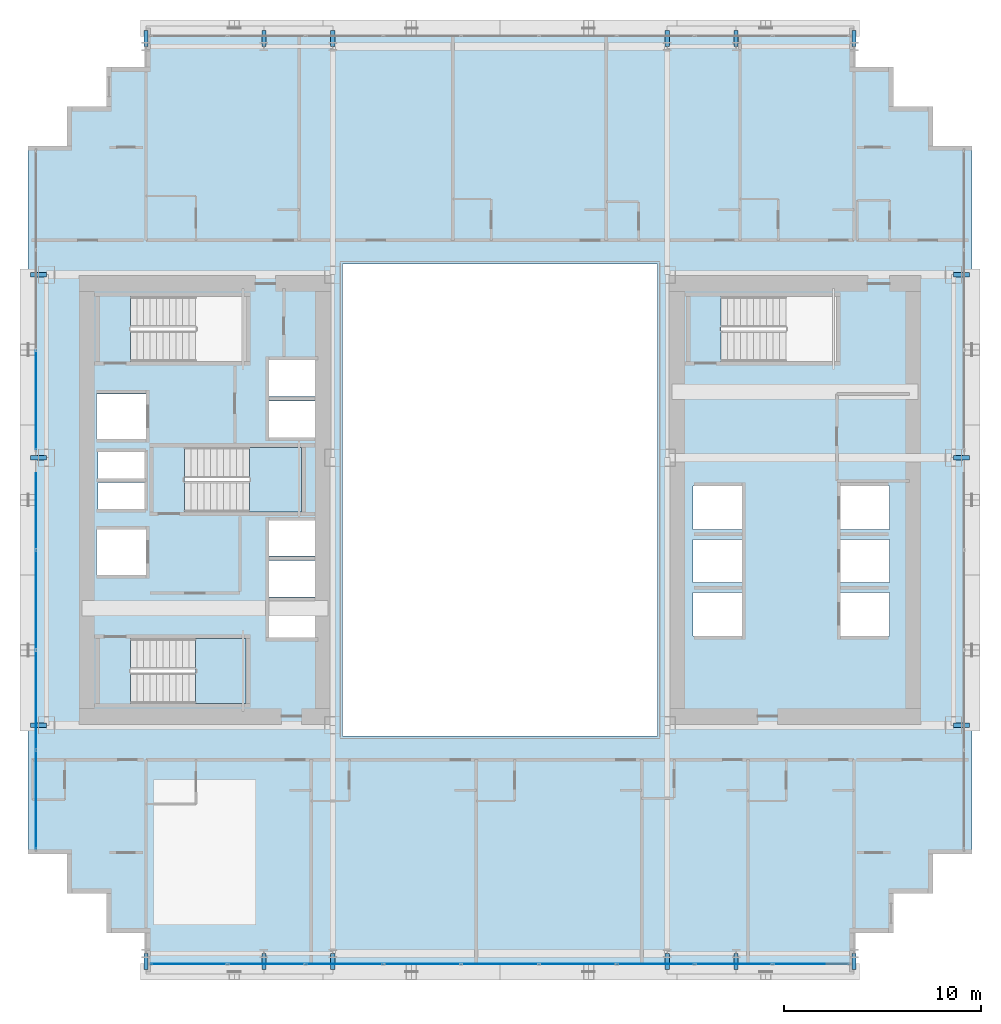
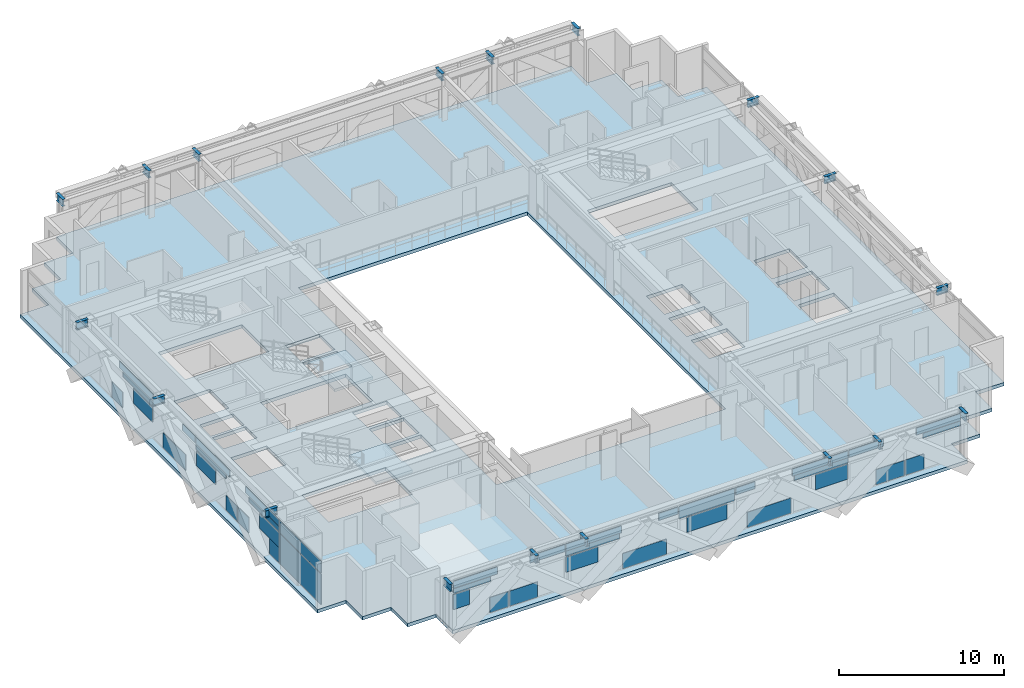
# One storey, part 23 of 35: 40 plates, 18 beams, 3 slabs, 4 elements without a shape of their own.
"""IFC4 building model written with IfcOpenShell, lengths in metres."""

from ifc_helpers import new_model, si_unit, direction, frame, origin, origin_2d, place, context, subcontext, project, spatial, polyline, rectangle, i_section, outline, extrude, source, transform, mapped, material, layer, layer_set, material_profile, profile_set, type_object, element, aggregate, save


model = new_model("IFC4")

# Units and contexts
model_context = context("Model", 3, precision=1e-05, world=origin(), true_north=direction((0.0, 1.0)))
body_context = subcontext(model_context, "Body", "Model", "MODEL_VIEW")
ifc_project = project(units=[si_unit("LENGTHUNIT", "METRE"), si_unit("AREAUNIT", "SQUARE_METRE"), si_unit("VOLUMEUNIT", "CUBIC_METRE"), si_unit("PLANEANGLEUNIT", "RADIAN"), si_unit("MASSUNIT", "GRAM", prefix="KILO")], contexts=[model_context])

# Site, building, storey
site_placement = place(None, origin())
site = spatial("IfcSite", under=ifc_project, at=site_placement, CompositionType="ELEMENT")
building_placement = place(site_placement, origin())
building = spatial("IfcBuilding", under=site, at=building_placement, Name="Ocotamira Hotel", CompositionType="ELEMENT")
storey_placement = place(building_placement, frame((0.0, 0.0, 56.39990234375)))
storey = spatial("IfcBuildingStorey", under=building, at=storey_placement, Name="L13", CompositionType="ELEMENT", Elevation=56.39990234375)

# Beams
ifc_material_1 = material(Name="Steel ASTM A992 Grade 50", Category="steel")
ifc_material_profile = material_profile(ifc_material_1, i_section(OverallWidth=0.2099609375, OverallDepth=0.537109375, WebThickness=0.010986328125, FlangeThickness=0.017333984375, FilletRadius=0.012939453125, at=origin_2d()), Name="W21X68")
ifc_profile_set = profile_set([ifc_material_profile], Name="Steel ASTM A992 Grade 50")
beam_type = type_object("IfcBeamType", Name="BM-SEC-W21X68", PredefinedType="JOIST", material=ifc_profile_set)
shared_shape_1 = source(origin(), body_context, "Body", "SweptSolid", [
    extrude(i_section(OverallWidth=0.2099609375, OverallDepth=0.537109375, WebThickness=0.010986328125, FlangeThickness=0.017333984375, FilletRadius=0.012939453125, at=origin_2d()), origin(), (0.0, 0.0, 1.0), 0.800048828125),
])
for number, where, z_axis, x_axis, name in (
    (1, (14.0, 2.949951171875, 3.08154296875), (0.0, -1.0, 0.0), (1.0, 0.0, 0.0), "L13 South Edge Header X14"),
    (2, (14.0, 49.050048828125, 3.08154296875), (0.0, 1.0, 0.0), (-1.0, 0.0, 0.0), "L13 North Edge Header X14"),
    (3, (20.0, 2.949951171875, 3.08154296875), (0.0, -1.0, 0.0), (1.0, 0.0, 0.0), "L13 South Edge Header X20"),
    (4, (20.0, 49.050048828125, 3.08154296875), (0.0, 1.0, 0.0), (-1.0, 0.0, 0.0), "L13 North Edge Header X20"),
    (5, (23.5, 2.949951171875, 3.08154296875), (0.0, -1.0, 0.0), (1.0, 0.0, 0.0), "L13 South Edge Header X23.5"),
    (6, (23.5, 49.050048828125, 3.08154296875), (0.0, 1.0, 0.0), (-1.0, 0.0, 0.0), "L13 North Edge Header X23.5"),
    (7, (40.5, 2.949951171875, 3.08154296875), (0.0, -1.0, 0.0), (1.0, 0.0, 0.0), "L13 South Edge Header X40.5"),
    (8, (40.5, 49.050048828125, 3.08154296875), (0.0, 1.0, 0.0), (-1.0, 0.0, 0.0), "L13 North Edge Header X40.5"),
    (9, (44.0, 2.949951171875, 3.08154296875), (0.0, -1.0, 0.0), (1.0, 0.0, 0.0), "L13 South Edge Header X44"),
    (10, (44.0, 49.050048828125, 3.08154296875), (0.0, 1.0, 0.0), (-1.0, 0.0, 0.0), "L13 North Edge Header X44"),
    (11, (50.0, 2.949951171875, 3.08154296875), (0.0, -1.0, 0.0), (1.0, 0.0, 0.0), "L13 South Edge Header X50"),
    (12, (50.0, 49.050048828125, 3.08154296875), (0.0, 1.0, 0.0), (-1.0, 0.0, 0.0), "L13 North Edge Header X50"),
    (13, (8.949951171875, 14.550048828125, 3.08154296875), (-1.0, 0.0, 0.0), (0.0, -1.0, 0.0), "L13 West Edge Header Y14.55"),
    (14, (55.050048828125, 14.550048828125, 3.08154296875), (1.0, 0.0, 0.0), (0.0, 1.0, 0.0), "L13 East Edge Header Y14.55"),
    (15, (8.949951171875, 28.14990234375, 3.08154296875), (-1.0, 0.0, 0.0), (0.0, -1.0, 0.0), "L13 West Edge Header Y28.15"),
    (16, (55.050048828125, 28.14990234375, 3.08154296875), (1.0, 0.0, 0.0), (0.0, 1.0, 0.0), "L13 East Edge Header Y28.15"),
    (17, (8.949951171875, 37.449951171875, 3.08154296875), (-1.0, 0.0, 0.0), (0.0, -1.0, 0.0), "L13 West Edge Header Y37.45"),
    (18, (55.050048828125, 37.449951171875, 3.08154296875), (1.0, 0.0, 0.0), (0.0, 1.0, 0.0), "L13 East Edge Header Y37.45"),
):
    element("IfcBeam", number, at=place(storey_placement, frame(where, z_axis=z_axis, x_axis=x_axis)), inside=storey, type_object=beam_type, Name=name, PredefinedType="JOIST", context=body_context, shape_type="MappedRepresentation", body=[
        mapped(shared_shape_1, transform((0.0, 0.0, 0.0), scale=1.0)),
    ])

# Stair, slab
ifc_material_2 = material(Name="Concrete C40/50", Category="concrete")
stair_type = type_object("IfcStairType", Name="ST-CORE-1560", PredefinedType="HALF_TURN_STAIR", material=ifc_material_2)
stair_1_placement = place(storey_placement, origin())
stair_1 = element("IfcStair", 19, at=stair_1_placement, inside=storey, type_object=stair_type, Name="L13 Exit Stair ST-1", PredefinedType="HALF_TURN_STAIR")
ifc_layer_1 = layer(ifc_material_2, 0.199951171875)
ifc_layer_set_1 = layer_set([ifc_layer_1], Name="Concrete C40/50")
slab_type_1 = type_object("IfcSlabType", Name="SLB-LAND-200", PredefinedType="LANDING", material=ifc_layer_set_1)
slab_1_placement = place(storey_placement, frame((0.0, 0.0, 1.60009765625)))
slab_1 = element("IfcSlab", 20, at=slab_1_placement, type_object=slab_type_1, Name="ST-1 landing 1", PredefinedType="LANDING", context=body_context, shape_type="SweptSolid", body=[
    extrude(outline(polyline([(16.530029296875, 15.669921875), (19.090087890625, 15.669921875), (19.090087890625, 18.949951171875), (16.530029296875, 18.949951171875), (16.530029296875, 15.669921875)])), origin(), (0.0, 0.0, 1.0), 0.199951171875),
])
aggregate(stair_1, [slab_1])

stair_2_placement = place(storey_placement, origin())
stair_2 = element("IfcStair", 21, at=stair_2_placement, inside=storey, type_object=stair_type, Name="L13 Exit Stair ST-3", PredefinedType="HALF_TURN_STAIR")
slab_2_placement = place(storey_placement, frame((0.0, 0.0, 1.60009765625)))
slab_2 = element("IfcSlab", 22, at=slab_2_placement, type_object=slab_type_1, Name="ST-3 landing 1", PredefinedType="LANDING", context=body_context, shape_type="SweptSolid", body=[
    extrude(outline(polyline([(19.260009765625, 25.39990234375), (21.919921875, 25.39990234375), (21.919921875, 28.679931640625), (19.260009765625, 28.679931640625), (19.260009765625, 25.39990234375)])), origin(), (0.0, 0.0, 1.0), 0.199951171875),
])
aggregate(stair_2, [slab_2])

# Slab
ifc_layer_2 = layer(ifc_material_2, 0.25)
ifc_layer_set_2 = layer_set([ifc_layer_2], Name="Concrete C40/50")
slab_type_2 = type_object("IfcSlabType", Name="SLB-Z1-250", PredefinedType="FLOOR", material=ifc_layer_set_2)
slab_3_placement = place(storey_placement, frame((0.0, 0.0, -0.25)))
element("IfcSlab", 23, at=slab_3_placement, inside=storey, type_object=slab_type_2, Name="L13 Structural Floor Slab", PredefinedType="FLOOR", context=body_context, shape_type="SweptSolid", body=[
    extrude(outline(polyline([(14.0, 2.0), (50.0, 2.0), (50.0, 4.0), (52.0, 4.0), (52.0, 6.0), (54.0, 6.0), (54.0, 8.0), (56.0, 8.0), (56.0, 44.0), (54.0, 44.0), (54.0, 46.0), (52.0, 46.0), (52.0, 48.0), (50.0, 48.0), (50.0, 50.0), (14.0, 50.0), (14.0, 48.0), (12.0, 48.0), (12.0, 46.0), (10.0, 46.0), (10.0, 44.0), (8.0, 44.0), (8.0, 8.0), (10.0, 8.0), (10.0, 6.0), (12.0, 6.0), (12.0, 4.0), (14.0, 4.0), (14.0, 2.0)]), holes=[polyline([(24.0, 14.0), (40.0, 14.0), (40.0, 38.0), (24.0, 38.0), (24.0, 14.0)]), polyline([(13.22998046875, 15.669921875), (19.090087890625, 15.669921875), (19.090087890625, 18.949951171875), (13.22998046875, 18.949951171875), (13.22998046875, 15.669921875)]), polyline([(13.22998046875, 33.050048828125), (19.090087890625, 33.050048828125), (19.090087890625, 36.330078125), (13.22998046875, 36.330078125), (13.22998046875, 33.050048828125)]), polyline([(15.9599609375, 25.39990234375), (21.919921875, 25.39990234375), (21.919921875, 28.679931640625), (15.9599609375, 28.679931640625), (15.9599609375, 25.39990234375)]), polyline([(43.22998046875, 33.050048828125), (49.090087890625, 33.050048828125), (49.090087890625, 36.330078125), (43.22998046875, 36.330078125), (43.22998046875, 33.050048828125)]), polyline([(49.300048828125, 19.10009765625), (51.800048828125, 19.10009765625), (51.800048828125, 21.300048828125), (49.300048828125, 21.300048828125), (49.300048828125, 19.10009765625)]), polyline([(49.300048828125, 21.800048828125), (51.800048828125, 21.800048828125), (51.800048828125, 24.0), (49.300048828125, 24.0), (49.300048828125, 21.800048828125)]), polyline([(49.300048828125, 24.5), (51.800048828125, 24.5), (51.800048828125, 26.699951171875), (49.300048828125, 26.699951171875), (49.300048828125, 24.5)]), polyline([(41.800048828125, 19.10009765625), (44.300048828125, 19.10009765625), (44.300048828125, 21.300048828125), (41.800048828125, 21.300048828125), (41.800048828125, 19.10009765625)]), polyline([(41.800048828125, 21.800048828125), (44.300048828125, 21.800048828125), (44.300048828125, 24.0), (41.800048828125, 24.0), (41.800048828125, 21.800048828125)]), polyline([(41.800048828125, 24.5), (44.300048828125, 24.5), (44.300048828125, 26.699951171875), (41.800048828125, 26.699951171875), (41.800048828125, 24.5)]), polyline([(20.25, 19.0), (22.659912109375, 19.0), (22.659912109375, 20.85009765625), (20.25, 20.85009765625), (20.25, 19.0)]), polyline([(20.25, 21.080078125), (22.659912109375, 21.080078125), (22.659912109375, 22.929931640625), (20.25, 22.929931640625), (20.25, 21.080078125)]), polyline([(20.25, 23.159912109375), (22.659912109375, 23.159912109375), (22.659912109375, 24.9599609375), (20.25, 24.9599609375), (20.25, 23.159912109375)]), polyline([(20.25, 29.179931640625), (22.659912109375, 29.179931640625), (22.659912109375, 31.030029296875), (20.25, 31.030029296875), (20.25, 29.179931640625)]), polyline([(20.25, 31.260009765625), (22.659912109375, 31.260009765625), (22.659912109375, 33.110107421875), (20.25, 33.110107421875), (20.25, 31.260009765625)]), polyline([(11.5, 22.199951171875), (14.0, 22.199951171875), (14.0, 24.5), (11.5, 24.5), (11.5, 22.199951171875)]), polyline([(11.5, 29.10009765625), (14.0, 29.10009765625), (14.0, 31.39990234375), (11.5, 31.39990234375), (11.5, 29.10009765625)]), polyline([(11.580078125, 25.550048828125), (13.919921875, 25.550048828125), (13.919921875, 26.89990234375), (11.580078125, 26.89990234375), (11.580078125, 25.550048828125)]), polyline([(11.580078125, 27.10009765625), (13.919921875, 27.10009765625), (13.919921875, 28.449951171875), (11.580078125, 28.449951171875), (11.580078125, 27.10009765625)])]), origin(), (0.0, 0.0, 1.0), 0.25),
])

# Curtain wall, plates
ifc_material_3 = material(Name="Anodised pale-metal aluminium and solar glass", Category="aluminium")
ifc_layer_3 = layer(ifc_material_3, 0.179931640625)
ifc_layer_set_3 = layer_set([ifc_layer_3], Name="Anodised pale-metal aluminium and solar glass")
curtain_wall_type = type_object("IfcCurtainWallType", Name="CW-SYS2-Z1", PredefinedType="NOTDEFINED", material=ifc_layer_set_3)
curtain_wall_1_placement = place(storey_placement, origin())
curtain_wall_1 = element("IfcCurtainWall", 24, at=curtain_wall_1_placement, inside=storey, type_object=curtain_wall_type, Name="L13 Curtain Wall CW-2 CW-L13-S1", PredefinedType="NOTDEFINED")
ifc_material_4 = material(Name="Double-silver low-E insulated solar glass", Category="glass")
ifc_layer_4 = layer(ifc_material_4, 0.031982421875)
ifc_layer_set_4 = layer_set([ifc_layer_4], Name="Double-silver low-E insulated solar glass")
plate_type = type_object("IfcPlateType", Name="CWP-VISION-32", PredefinedType="CURTAIN_PANEL", material=ifc_layer_set_4)
shared_shape_2 = source(origin(), body_context, "Body", "SweptSolid", [
    extrude(rectangle(XDim=1.11669921875, YDim=0.031982421875, at=origin_2d()), origin(), (0.0, 0.0, 1.0), 1.11865234375),
])
plate_1_placement = place(storey_placement, frame((14.83837890625, 2.419921875, 1.19384765625), z_axis=(0.0, 0.0, 1.0), x_axis=(1.0, 0.0, 0.0)))
plate_1 = element("IfcPlate", 25, at=plate_1_placement, type_object=plate_type, Name="CW-2 panel 1.1.1", PredefinedType="CURTAIN_PANEL", context=body_context, shape_type="MappedRepresentation", body=[
    mapped(shared_shape_2, transform((0.0, 0.0, 0.0), scale=1.0)),
])
shared_shape_3 = source(origin(), body_context, "Body", "SweptSolid", [
    extrude(rectangle(XDim=1.278076171875, YDim=0.031982421875, at=origin_2d()), origin(), (0.0, 0.0, 1.0), 1.11865234375),
])
plate_2_placement = place(storey_placement, frame((17.4765625, 2.419921875, 0.0751953125), z_axis=(0.0, 0.0, 1.0), x_axis=(1.0, 0.0, 0.0)))
plate_2 = element("IfcPlate", 26, at=plate_2_placement, type_object=plate_type, Name="CW-2 panel 1.1.2", PredefinedType="CURTAIN_PANEL", context=body_context, shape_type="MappedRepresentation", body=[
    mapped(shared_shape_3, transform((0.0, 0.0, 0.0), scale=1.0)),
])
plate_3_placement = place(storey_placement, frame((46.5234375, 2.419921875, 0.0751953125), z_axis=(0.0, 0.0, 1.0), x_axis=(1.0, 0.0, 0.0)))
plate_3 = element("IfcPlate", 27, at=plate_3_placement, type_object=plate_type, Name="CW-2 panel 9.1.1", PredefinedType="CURTAIN_PANEL", context=body_context, shape_type="MappedRepresentation", body=[
    mapped(shared_shape_3, transform((0.0, 0.0, 0.0), scale=1.0)),
])
shared_shape_4 = source(origin(), body_context, "Body", "SweptSolid", [
    extrude(rectangle(XDim=2.60888671875, YDim=0.031982421875, at=origin_2d()), origin(), (0.0, 0.0, 1.0), 0.345458984375),
])
plate_4_placement = place(storey_placement, frame((15.58447265625, 2.419921875, 2.3876953125), z_axis=(0.0, 0.0, 1.0), x_axis=(1.0, 0.0, 0.0)))
plate_4 = element("IfcPlate", 28, at=plate_4_placement, type_object=plate_type, Name="CW-2 panel 1.2.1", PredefinedType="CURTAIN_PANEL", context=body_context, shape_type="MappedRepresentation", body=[
    mapped(shared_shape_4, transform((0.0, 0.0, 0.0), scale=1.0)),
])
plate_5_placement = place(storey_placement, frame((48.41552734375, 2.419921875, 2.3876953125), z_axis=(0.0, 0.0, 1.0), x_axis=(1.0, 0.0, 0.0)))
plate_5 = element("IfcPlate", 29, at=plate_5_placement, type_object=plate_type, Name="CW-2 panel 9.2.2", PredefinedType="CURTAIN_PANEL", context=body_context, shape_type="MappedRepresentation", body=[
    mapped(shared_shape_4, transform((0.0, 0.0, 0.0), scale=1.0)),
])
shared_shape_5 = source(origin(), body_context, "Body", "SweptSolid", [
    extrude(rectangle(XDim=3.079833984375, YDim=0.031982421875, at=origin_2d()), origin(), (0.0, 0.0, 1.0), 0.5107421875),
])
plate_6_placement = place(storey_placement, frame((15.820068359375, 2.419921875, 2.764404296875), z_axis=(0.0, 0.0, 1.0), x_axis=(1.0, 0.0, 0.0)))
plate_6 = element("IfcPlate", 30, at=plate_6_placement, type_object=plate_type, Name="CW-2 panel 1.2.2", PredefinedType="CURTAIN_PANEL", context=body_context, shape_type="MappedRepresentation", body=[
    mapped(shared_shape_5, transform((0.0, 0.0, 0.0), scale=1.0)),
])
plate_7_placement = place(storey_placement, frame((48.179931640625, 2.419921875, 2.764404296875), z_axis=(0.0, 0.0, 1.0), x_axis=(1.0, 0.0, 0.0)))
plate_7 = element("IfcPlate", 31, at=plate_7_placement, type_object=plate_type, Name="CW-2 panel 9.2.1", PredefinedType="CURTAIN_PANEL", context=body_context, shape_type="MappedRepresentation", body=[
    mapped(shared_shape_5, transform((0.0, 0.0, 0.0), scale=1.0)),
])
shared_shape_6 = source(origin(), body_context, "Body", "SweptSolid", [
    extrude(rectangle(XDim=1.966796875, YDim=0.031982421875, at=origin_2d()), origin(), (0.0, 0.0, 1.0), 1.11865234375),
])
plate_8_placement = place(storey_placement, frame((19.178955078125, 2.419921875, 0.0751953125), z_axis=(0.0, 0.0, 1.0), x_axis=(1.0, 0.0, 0.0)))
plate_8 = element("IfcPlate", 32, at=plate_8_placement, type_object=plate_type, Name="CW-2 panel 2.1.1", PredefinedType="CURTAIN_PANEL", context=body_context, shape_type="MappedRepresentation", body=[
    mapped(shared_shape_6, transform((0.0, 0.0, 0.0), scale=1.0)),
])
plate_9_placement = place(storey_placement, frame((44.821044921875, 2.419921875, 0.0751953125), z_axis=(0.0, 0.0, 1.0), x_axis=(1.0, 0.0, 0.0)))
plate_9 = element("IfcPlate", 33, at=plate_9_placement, type_object=plate_type, Name="CW-2 panel 8.1.1", PredefinedType="CURTAIN_PANEL", context=body_context, shape_type="MappedRepresentation", body=[
    mapped(shared_shape_6, transform((0.0, 0.0, 0.0), scale=1.0)),
])
shared_shape_7 = source(origin(), body_context, "Body", "SweptSolid", [
    extrude(rectangle(XDim=2.430908203125, YDim=0.031982421875, at=origin_2d()), origin(), (0.0, 0.0, 1.0), 0.5107421875),
])
plate_10_placement = place(storey_placement, frame((20.855712890625, 2.419921875, 2.764404296875), z_axis=(0.0, 0.0, 1.0), x_axis=(1.0, 0.0, 0.0)))
plate_10 = element("IfcPlate", 34, at=plate_10_placement, type_object=plate_type, Name="CW-2 panel 2.2.1", PredefinedType="CURTAIN_PANEL", context=body_context, shape_type="MappedRepresentation", body=[
    mapped(shared_shape_7, transform((0.0, 0.0, 0.0), scale=1.0)),
])
plate_11_placement = place(storey_placement, frame((43.144287109375, 2.419921875, 2.764404296875), z_axis=(0.0, 0.0, 1.0), x_axis=(1.0, 0.0, 0.0)))
plate_11 = element("IfcPlate", 35, at=plate_11_placement, type_object=plate_type, Name="CW-2 panel 8.2.1", PredefinedType="CURTAIN_PANEL", context=body_context, shape_type="MappedRepresentation", body=[
    mapped(shared_shape_7, transform((0.0, 0.0, 0.0), scale=1.0)),
])
shared_shape_8 = source(origin(), body_context, "Body", "SweptSolid", [
    extrude(rectangle(XDim=2.24560546875, YDim=0.031982421875, at=origin_2d()), origin(), (0.0, 0.0, 1.0), 1.11865234375),
])
plate_12_placement = place(storey_placement, frame((23.27392578125, 2.419921875, 1.19384765625), z_axis=(0.0, 0.0, 1.0), x_axis=(1.0, 0.0, 0.0)))
plate_12 = element("IfcPlate", 36, at=plate_12_placement, type_object=plate_type, Name="CW-2 panel 3.1.1", PredefinedType="CURTAIN_PANEL", context=body_context, shape_type="MappedRepresentation", body=[
    mapped(shared_shape_8, transform((0.0, 0.0, 0.0), scale=1.0)),
])
plate_13_placement = place(storey_placement, frame((40.72607421875, 2.419921875, 1.19384765625), z_axis=(0.0, 0.0, 1.0), x_axis=(1.0, 0.0, 0.0)))
plate_13 = element("IfcPlate", 37, at=plate_13_placement, type_object=plate_type, Name="CW-2 panel 7.1.1", PredefinedType="CURTAIN_PANEL", context=body_context, shape_type="MappedRepresentation", body=[
    mapped(shared_shape_8, transform((0.0, 0.0, 0.0), scale=1.0)),
])
shared_shape_9 = source(origin(), body_context, "Body", "SweptSolid", [
    extrude(rectangle(XDim=3.73779296875, YDim=0.031982421875, at=origin_2d()), origin(), (0.0, 0.0, 1.0), 0.376708984375),
])
plate_14_placement = place(storey_placement, frame((24.02001953125, 2.419921875, 2.3876953125), z_axis=(0.0, 0.0, 1.0), x_axis=(1.0, 0.0, 0.0)))
plate_14 = element("IfcPlate", 38, at=plate_14_placement, type_object=plate_type, Name="CW-2 panel 3.2.1", PredefinedType="CURTAIN_PANEL", context=body_context, shape_type="MappedRepresentation", body=[
    mapped(shared_shape_9, transform((0.0, 0.0, 0.0), scale=1.0)),
])
plate_15_placement = place(storey_placement, frame((39.97998046875, 2.419921875, 2.3876953125), z_axis=(0.0, 0.0, 1.0), x_axis=(1.0, 0.0, 0.0)))
plate_15 = element("IfcPlate", 39, at=plate_15_placement, type_object=plate_type, Name="CW-2 panel 7.2.2", PredefinedType="CURTAIN_PANEL", context=body_context, shape_type="MappedRepresentation", body=[
    mapped(shared_shape_9, transform((0.0, 0.0, 0.0), scale=1.0)),
])
shared_shape_10 = source(origin(), body_context, "Body", "SweptSolid", [
    extrude(rectangle(XDim=3.87548828125, YDim=0.031982421875, at=origin_2d()), origin(), (0.0, 0.0, 1.0), 0.5107421875),
])
plate_16_placement = place(storey_placement, frame((24.0888671875, 2.419921875, 2.764404296875), z_axis=(0.0, 0.0, 1.0), x_axis=(1.0, 0.0, 0.0)))
plate_16 = element("IfcPlate", 40, at=plate_16_placement, type_object=plate_type, Name="CW-2 panel 3.2.2", PredefinedType="CURTAIN_PANEL", context=body_context, shape_type="MappedRepresentation", body=[
    mapped(shared_shape_10, transform((0.0, 0.0, 0.0), scale=1.0)),
])
plate_17_placement = place(storey_placement, frame((39.9111328125, 2.419921875, 2.764404296875), z_axis=(0.0, 0.0, 1.0), x_axis=(1.0, 0.0, 0.0)))
plate_17 = element("IfcPlate", 41, at=plate_17_placement, type_object=plate_type, Name="CW-2 panel 7.2.1", PredefinedType="CURTAIN_PANEL", context=body_context, shape_type="MappedRepresentation", body=[
    mapped(shared_shape_10, transform((0.0, 0.0, 0.0), scale=1.0)),
])
shared_shape_11 = source(origin(), body_context, "Body", "SweptSolid", [
    extrude(rectangle(XDim=3.055908203125, YDim=0.031982421875, at=origin_2d()), origin(), (0.0, 0.0, 1.0), 1.11865234375),
])
plate_18_placement = place(storey_placement, frame((27.634521484375, 2.419921875, 0.0751953125), z_axis=(0.0, 0.0, 1.0), x_axis=(1.0, 0.0, 0.0)))
plate_18 = element("IfcPlate", 42, at=plate_18_placement, type_object=plate_type, Name="CW-2 panel 4.1.1", PredefinedType="CURTAIN_PANEL", context=body_context, shape_type="MappedRepresentation", body=[
    mapped(shared_shape_11, transform((0.0, 0.0, 0.0), scale=1.0)),
])
plate_19_placement = place(storey_placement, frame((36.365478515625, 2.419921875, 0.0751953125), z_axis=(0.0, 0.0, 1.0), x_axis=(1.0, 0.0, 0.0)))
plate_19 = element("IfcPlate", 43, at=plate_19_placement, type_object=plate_type, Name="CW-2 panel 6.1.1", PredefinedType="CURTAIN_PANEL", context=body_context, shape_type="MappedRepresentation", body=[
    mapped(shared_shape_11, transform((0.0, 0.0, 0.0), scale=1.0)),
])
shared_shape_12 = source(origin(), body_context, "Body", "SweptSolid", [
    extrude(rectangle(XDim=1.34228515625, YDim=0.031982421875, at=origin_2d()), origin(), (0.0, 0.0, 1.0), 0.5107421875),
])
plate_20_placement = place(storey_placement, frame((29.31103515625, 2.419921875, 2.764404296875), z_axis=(0.0, 0.0, 1.0), x_axis=(1.0, 0.0, 0.0)))
plate_20 = element("IfcPlate", 44, at=plate_20_placement, type_object=plate_type, Name="CW-2 panel 4.2.1", PredefinedType="CURTAIN_PANEL", context=body_context, shape_type="MappedRepresentation", body=[
    mapped(shared_shape_12, transform((0.0, 0.0, 0.0), scale=1.0)),
])
plate_21_placement = place(storey_placement, frame((34.68896484375, 2.419921875, 2.764404296875), z_axis=(0.0, 0.0, 1.0), x_axis=(1.0, 0.0, 0.0)))
plate_21 = element("IfcPlate", 45, at=plate_21_placement, type_object=plate_type, Name="CW-2 panel 6.2.1", PredefinedType="CURTAIN_PANEL", context=body_context, shape_type="MappedRepresentation", body=[
    mapped(shared_shape_12, transform((0.0, 0.0, 0.0), scale=1.0)),
])
shared_shape_13 = source(origin(), body_context, "Body", "SweptSolid", [
    extrude(rectangle(XDim=2.793701171875, YDim=0.031982421875, at=origin_2d()), origin(), (0.0, 0.0, 1.0), 1.11865234375),
])
plate_22_placement = place(storey_placement, frame((32.0, 2.419921875, 1.19384765625), z_axis=(0.0, 0.0, 1.0), x_axis=(1.0, 0.0, 0.0)))
plate_22 = element("IfcPlate", 46, at=plate_22_placement, type_object=plate_type, Name="CW-2 panel 5.1.1", PredefinedType="CURTAIN_PANEL", context=body_context, shape_type="MappedRepresentation", body=[
    mapped(shared_shape_13, transform((0.0, 0.0, 0.0), scale=1.0)),
])
shared_shape_14 = source(origin(), body_context, "Body", "SweptSolid", [
    extrude(rectangle(XDim=3.87548828125, YDim=0.031982421875, at=origin_2d()), origin(), (0.0, 0.0, 1.0), 0.887451171875),
])
plate_23_placement = place(storey_placement, frame((32.0, 2.419921875, 2.3876953125), z_axis=(0.0, 0.0, 1.0), x_axis=(1.0, 0.0, 0.0)))
plate_23 = element("IfcPlate", 47, at=plate_23_placement, type_object=plate_type, Name="CW-2 panel 5.2", PredefinedType="CURTAIN_PANEL", context=body_context, shape_type="MappedRepresentation", body=[
    mapped(shared_shape_14, transform((0.0, 0.0, 0.0), scale=1.0)),
])
aggregate(curtain_wall_1, [plate_1, plate_2, plate_4, plate_6, plate_8, plate_10, plate_12, plate_14, plate_16, plate_18, plate_20, plate_22, plate_23, plate_19, plate_21, plate_13, plate_17, plate_15, plate_9, plate_11, plate_3, plate_7, plate_5])

curtain_wall_2_placement = place(storey_placement, origin())
curtain_wall_2 = element("IfcCurtainWall", 48, at=curtain_wall_2_placement, inside=storey, type_object=curtain_wall_type, Name="L13 Curtain Wall CW-2 CW-L13-W", PredefinedType="NOTDEFINED")
shared_shape_15 = source(origin(), body_context, "Body", "SweptSolid", [
    extrude(rectangle(XDim=4.9658203125, YDim=0.031982421875, at=origin_2d()), origin(), (0.0, 0.0, 1.0), 2.237548828125),
])
plate_24_placement = place(storey_placement, frame((8.419921875, 10.762939453125, 0.0751953125), z_axis=(0.0, 0.0, 1.0), x_axis=(0.0, 1.0, 0.0)))
plate_24 = element("IfcPlate", 49, at=plate_24_placement, type_object=plate_type, Name="CW-2 panel 1.1", PredefinedType="CURTAIN_PANEL", context=body_context, shape_type="MappedRepresentation", body=[
    mapped(shared_shape_15, transform((0.0, 0.0, 0.0), scale=1.0)),
])
shared_shape_16 = source(origin(), body_context, "Body", "SweptSolid", [
    extrude(rectangle(XDim=4.9658203125, YDim=0.031982421875, at=origin_2d()), origin(), (0.0, 0.0, 1.0), 0.887451171875),
])
plate_25_placement = place(storey_placement, frame((8.419921875, 10.762939453125, 2.3876953125), z_axis=(0.0, 0.0, 1.0), x_axis=(0.0, 1.0, 0.0)))
plate_25 = element("IfcPlate", 50, at=plate_25_placement, type_object=plate_type, Name="CW-2 panel 1.2", PredefinedType="CURTAIN_PANEL", context=body_context, shape_type="MappedRepresentation", body=[
    mapped(shared_shape_16, transform((0.0, 0.0, 0.0), scale=1.0)),
])
shared_shape_17 = source(origin(), body_context, "Body", "SweptSolid", [
    extrude(rectangle(XDim=1.177978515625, YDim=0.031982421875, at=origin_2d()), origin(), (0.0, 0.0, 1.0), 1.11865234375),
])
plate_26_placement = place(storey_placement, frame((8.419921875, 13.914794921875, 0.0751953125), z_axis=(0.0, 0.0, 1.0), x_axis=(0.0, 1.0, 0.0)))
plate_26 = element("IfcPlate", 51, at=plate_26_placement, type_object=plate_type, Name="CW-2 panel 2.1.1", PredefinedType="CURTAIN_PANEL", context=body_context, shape_type="MappedRepresentation", body=[
    mapped(shared_shape_17, transform((0.0, 0.0, 0.0), scale=1.0)),
])
shared_shape_18 = source(origin(), body_context, "Body", "SweptSolid", [
    extrude(rectangle(XDim=2.364013671875, YDim=0.031982421875, at=origin_2d()), origin(), (0.0, 0.0, 1.0), 1.11865234375),
])
plate_27_placement = place(storey_placement, frame((8.419921875, 14.5078125, 1.19384765625), z_axis=(0.0, 0.0, 1.0), x_axis=(0.0, 1.0, 0.0)))
plate_27 = element("IfcPlate", 52, at=plate_27_placement, type_object=plate_type, Name="CW-2 panel 2.1.2", PredefinedType="CURTAIN_PANEL", context=body_context, shape_type="MappedRepresentation", body=[
    mapped(shared_shape_18, transform((0.0, 0.0, 0.0), scale=1.0)),
])
shared_shape_19 = source(origin(), body_context, "Body", "SweptSolid", [
    extrude(rectangle(XDim=1.330078125, YDim=0.031982421875, at=origin_2d()), origin(), (0.0, 0.0, 1.0), 1.11865234375),
])
plate_28_placement = place(storey_placement, frame((8.419921875, 17.66650390625, 0.0751953125), z_axis=(0.0, 0.0, 1.0), x_axis=(0.0, 1.0, 0.0)))
plate_28 = element("IfcPlate", 53, at=plate_28_placement, type_object=plate_type, Name="CW-2 panel 2.1.3", PredefinedType="CURTAIN_PANEL", context=body_context, shape_type="MappedRepresentation", body=[
    mapped(shared_shape_19, transform((0.0, 0.0, 0.0), scale=1.0)),
])
shared_shape_20 = source(origin(), body_context, "Body", "SweptSolid", [
    extrude(rectangle(XDim=3.629638671875, YDim=0.031982421875, at=origin_2d()), origin(), (0.0, 0.0, 1.0), 0.367919921875),
])
plate_29_placement = place(storey_placement, frame((8.419921875, 15.140625, 2.3876953125), z_axis=(0.0, 0.0, 1.0), x_axis=(0.0, 1.0, 0.0)))
plate_29 = element("IfcPlate", 54, at=plate_29_placement, type_object=plate_type, Name="CW-2 panel 2.2.1", PredefinedType="CURTAIN_PANEL", context=body_context, shape_type="MappedRepresentation", body=[
    mapped(shared_shape_20, transform((0.0, 0.0, 0.0), scale=1.0)),
])
shared_shape_21 = source(origin(), body_context, "Body", "SweptSolid", [
    extrude(rectangle(XDim=4.05615234375, YDim=0.031982421875, at=origin_2d()), origin(), (0.0, 0.0, 1.0), 0.485107421875),
])
plate_30_placement = place(storey_placement, frame((8.419921875, 15.353759765625, 2.7900390625), z_axis=(0.0, 0.0, 1.0), x_axis=(0.0, 1.0, 0.0)))
plate_30 = element("IfcPlate", 55, at=plate_30_placement, type_object=plate_type, Name="CW-2 panel 2.2.2", PredefinedType="CURTAIN_PANEL", context=body_context, shape_type="MappedRepresentation", body=[
    mapped(shared_shape_21, transform((0.0, 0.0, 0.0), scale=1.0)),
])
shared_shape_22 = source(origin(), body_context, "Body", "SweptSolid", [
    extrude(rectangle(XDim=1.3203125, YDim=0.031982421875, at=origin_2d()), origin(), (0.0, 0.0, 1.0), 1.11865234375),
])
plate_31_placement = place(storey_placement, frame((8.419921875, 19.071533203125, 0.0751953125), z_axis=(0.0, 0.0, 1.0), x_axis=(0.0, 1.0, 0.0)))
plate_31 = element("IfcPlate", 56, at=plate_31_placement, type_object=plate_type, Name="CW-2 panel 3.1.1", PredefinedType="CURTAIN_PANEL", context=body_context, shape_type="MappedRepresentation", body=[
    mapped(shared_shape_22, transform((0.0, 0.0, 0.0), scale=1.0)),
])
plate_32_placement = place(storey_placement, frame((8.419921875, 32.928466796875, 0.0751953125), z_axis=(0.0, 0.0, 1.0), x_axis=(0.0, 1.0, 0.0)))
plate_32 = element("IfcPlate", 57, at=plate_32_placement, type_object=plate_type, Name="CW-2 panel 5.1.2", PredefinedType="CURTAIN_PANEL", context=body_context, shape_type="MappedRepresentation", body=[
    mapped(shared_shape_22, transform((0.0, 0.0, 0.0), scale=1.0)),
])
shared_shape_23 = source(origin(), body_context, "Body", "SweptSolid", [
    extrude(rectangle(XDim=2.27978515625, YDim=0.031982421875, at=origin_2d()), origin(), (0.0, 0.0, 1.0), 1.11865234375),
])
plate_33_placement = place(storey_placement, frame((8.419921875, 22.183349609375, 1.19384765625), z_axis=(0.0, 0.0, 1.0), x_axis=(0.0, 1.0, 0.0)))
plate_33 = element("IfcPlate", 58, at=plate_33_placement, type_object=plate_type, Name="CW-2 panel 3.1.2", PredefinedType="CURTAIN_PANEL", context=body_context, shape_type="MappedRepresentation", body=[
    mapped(shared_shape_23, transform((0.0, 0.0, 0.0), scale=1.0)),
])
plate_34_placement = place(storey_placement, frame((8.419921875, 29.816650390625, 1.19384765625), z_axis=(0.0, 0.0, 1.0), x_axis=(0.0, 1.0, 0.0)))
plate_34 = element("IfcPlate", 59, at=plate_34_placement, type_object=plate_type, Name="CW-2 panel 5.1.1", PredefinedType="CURTAIN_PANEL", context=body_context, shape_type="MappedRepresentation", body=[
    mapped(shared_shape_23, transform((0.0, 0.0, 0.0), scale=1.0)),
])
shared_shape_24 = source(origin(), body_context, "Body", "SweptSolid", [
    extrude(rectangle(XDim=4.06591796875, YDim=0.031982421875, at=origin_2d()), origin(), (0.0, 0.0, 1.0), 0.485107421875),
])
plate_35_placement = place(storey_placement, frame((8.419921875, 21.38427734375, 2.7900390625), z_axis=(0.0, 0.0, 1.0), x_axis=(0.0, 1.0, 0.0)))
plate_35 = element("IfcPlate", 60, at=plate_35_placement, type_object=plate_type, Name="CW-2 panel 3.2.1", PredefinedType="CURTAIN_PANEL", context=body_context, shape_type="MappedRepresentation", body=[
    mapped(shared_shape_24, transform((0.0, 0.0, 0.0), scale=1.0)),
])
plate_36_placement = place(storey_placement, frame((8.419921875, 30.61572265625, 2.7900390625), z_axis=(0.0, 0.0, 1.0), x_axis=(0.0, 1.0, 0.0)))
plate_36 = element("IfcPlate", 61, at=plate_36_placement, type_object=plate_type, Name="CW-2 panel 5.2.2", PredefinedType="CURTAIN_PANEL", context=body_context, shape_type="MappedRepresentation", body=[
    mapped(shared_shape_24, transform((0.0, 0.0, 0.0), scale=1.0)),
])
shared_shape_25 = source(origin(), body_context, "Body", "SweptSolid", [
    extrude(rectangle(XDim=3.639404296875, YDim=0.031982421875, at=origin_2d()), origin(), (0.0, 0.0, 1.0), 0.367919921875),
])
plate_37_placement = place(storey_placement, frame((8.419921875, 21.597412109375, 2.3876953125), z_axis=(0.0, 0.0, 1.0), x_axis=(0.0, 1.0, 0.0)))
plate_37 = element("IfcPlate", 62, at=plate_37_placement, type_object=plate_type, Name="CW-2 panel 3.2.2", PredefinedType="CURTAIN_PANEL", context=body_context, shape_type="MappedRepresentation", body=[
    mapped(shared_shape_25, transform((0.0, 0.0, 0.0), scale=1.0)),
])
plate_38_placement = place(storey_placement, frame((8.419921875, 30.402587890625, 2.3876953125), z_axis=(0.0, 0.0, 1.0), x_axis=(0.0, 1.0, 0.0)))
plate_38 = element("IfcPlate", 63, at=plate_38_placement, type_object=plate_type, Name="CW-2 panel 5.2.1", PredefinedType="CURTAIN_PANEL", context=body_context, shape_type="MappedRepresentation", body=[
    mapped(shared_shape_25, transform((0.0, 0.0, 0.0), scale=1.0)),
])
shared_shape_26 = source(origin(), body_context, "Body", "SweptSolid", [
    extrude(rectangle(XDim=2.730224609375, YDim=0.031982421875, at=origin_2d()), origin(), (0.0, 0.0, 1.0), 1.11865234375),
])
plate_39_placement = place(storey_placement, frame((8.419921875, 26.0, 0.0751953125), z_axis=(0.0, 0.0, 1.0), x_axis=(0.0, 1.0, 0.0)))
plate_39 = element("IfcPlate", 64, at=plate_39_placement, type_object=plate_type, Name="CW-2 panel 4.1.1", PredefinedType="CURTAIN_PANEL", context=body_context, shape_type="MappedRepresentation", body=[
    mapped(shared_shape_26, transform((0.0, 0.0, 0.0), scale=1.0)),
])
shared_shape_27 = source(origin(), body_context, "Body", "SweptSolid", [
    extrude(rectangle(XDim=1.518310546875, YDim=0.031982421875, at=origin_2d()), origin(), (0.0, 0.0, 1.0), 0.485107421875),
])
plate_40_placement = place(storey_placement, frame((8.419921875, 24.256103515625, 2.7900390625), z_axis=(0.0, 0.0, 1.0), x_axis=(0.0, 1.0, 0.0)))
plate_40 = element("IfcPlate", 65, at=plate_40_placement, type_object=plate_type, Name="CW-2 panel 4.2.1", PredefinedType="CURTAIN_PANEL", context=body_context, shape_type="MappedRepresentation", body=[
    mapped(shared_shape_27, transform((0.0, 0.0, 0.0), scale=1.0)),
])
aggregate(curtain_wall_2, [plate_24, plate_25, plate_26, plate_27, plate_28, plate_29, plate_30, plate_31, plate_33, plate_35, plate_37, plate_39, plate_40, plate_34, plate_32, plate_38, plate_36])

save(model, "model.ifc")
